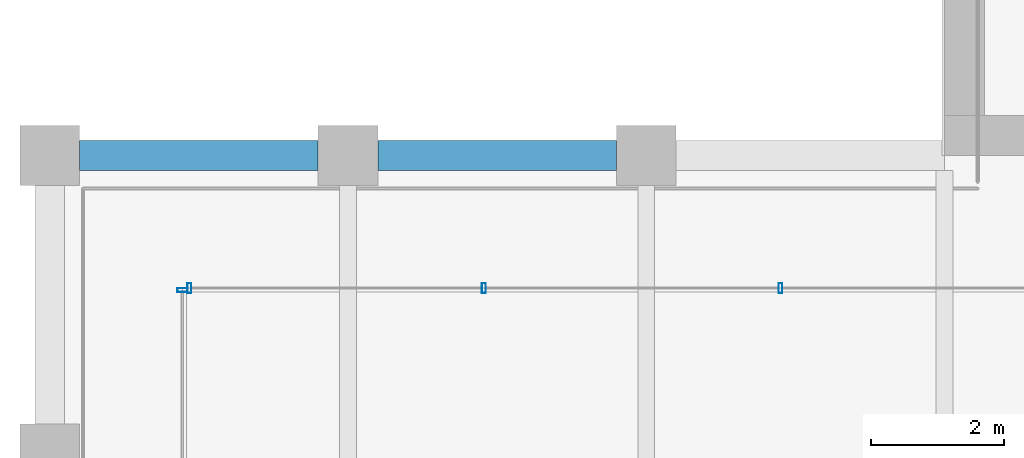
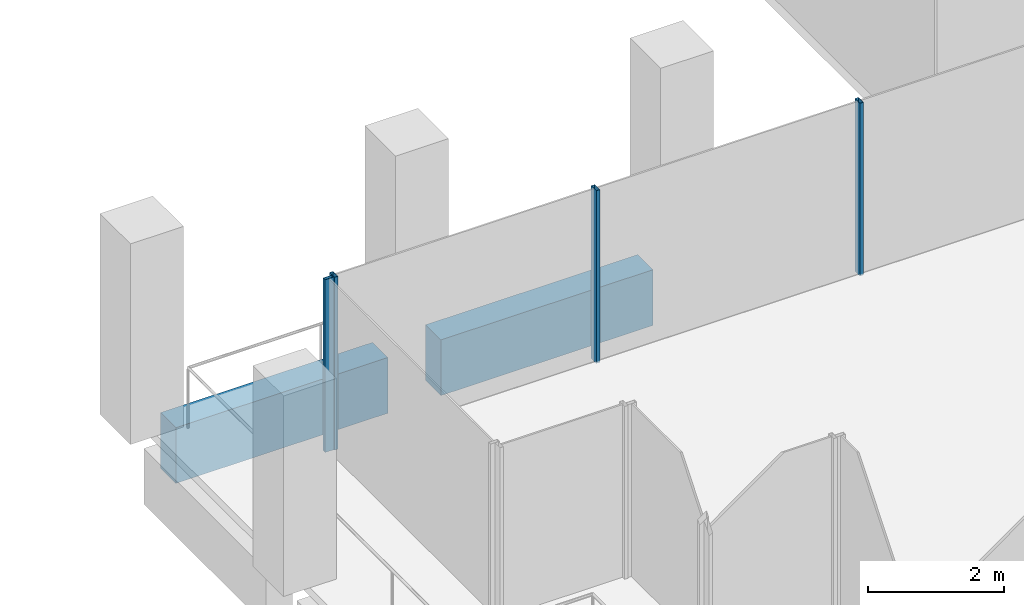
# One storey, part 5 of 40: 4 members, 2 beams, 2 elements without a shape of their own.
"""IFC4 building model written with IfcOpenShell, lengths in metres."""

from ifc_helpers import new_model, si_unit, direction, frame, origin, origin_2d, place, context, subcontext, project, spatial, rectangle, hollow_rectangle, extrude, material, material_profile, profile_set, type_object, element, aggregate, save


model = new_model("IFC4")

# Units and contexts
model_context = context("Model", 3, precision=1e-05, world=origin(), true_north=direction((0.0, 1.0)))
body_context = subcontext(model_context, "Body", "Model", "MODEL_VIEW")
ifc_project = project(units=[si_unit("LENGTHUNIT", "METRE"), si_unit("AREAUNIT", "SQUARE_METRE"), si_unit("VOLUMEUNIT", "CUBIC_METRE"), si_unit("PLANEANGLEUNIT", "RADIAN"), si_unit("MASSUNIT", "GRAM", prefix="KILO")], contexts=[model_context])

# Site, building, storey
site_placement = place(None, origin())
site = spatial("IfcSite", under=ifc_project, at=site_placement, CompositionType="ELEMENT")
building_placement = place(site_placement, origin())
building = spatial("IfcBuilding", under=site, at=building_placement, Name="Altepetl Exchange Towers", CompositionType="ELEMENT")
storey_placement = place(building_placement, frame((0.0, 0.0, 176.199951171875)))
storey = spatial("IfcBuildingStorey", under=building, at=storey_placement, Name="L44", CompositionType="ELEMENT", Elevation=176.199951171875)

# Curtain wall, members
ifc_material_1 = material(Name="Aluminium 6063-T6 glazing", Category="aluminium")
curtain_wall_type = type_object("IfcCurtainWallType", Name="Loggia glazing system", PredefinedType="NOTDEFINED", material=ifc_material_1)
curtain_wall_1_placement = place(storey_placement, origin())
curtain_wall_1 = element("IfcCurtainWall", 1, at=curtain_wall_1_placement, inside=storey, type_object=curtain_wall_type, Name="CW1 run", PredefinedType="NOTDEFINED")
ifc_material_2 = material(Name="Aluminium 6063-T6", Category="aluminium")
ifc_material_profile_1 = material_profile(ifc_material_2, hollow_rectangle(XDim=0.06005859375, YDim=0.14990234375, WallThickness=0.0029296875, at=origin_2d()), Name="Mullion 60x150 aluminium")
ifc_profile_set_1 = profile_set([ifc_material_profile_1], Name="Aluminium 6063-T6")
member_type = type_object("IfcMemberType", Name="Mullion 60x150 aluminium", PredefinedType="MULLION", material=ifc_profile_set_1)
member_1_placement = place(storey_placement, frame((38.02490234375, 38.5, 0.0), z_axis=(0.0, 0.0, 1.0), x_axis=(-1.0, 0.0, 0.0)))
member_1 = element("IfcMember", 2, at=member_1_placement, type_object=member_type, Name="MU1 mullion", PredefinedType="MULLION", context=body_context, shape_type="SweptSolid", body=[
    extrude(hollow_rectangle(XDim=0.06005859375, YDim=0.14990234375, WallThickness=0.0029296875, at=origin_2d()), origin(), (0.0, 0.0, 1.0), 3.10009765625),
])
member_2_placement = place(storey_placement, frame((33.550048828125, 38.5, 0.0), z_axis=(0.0, 0.0, 1.0), x_axis=(-1.0, 0.0, 0.0)))
member_2 = element("IfcMember", 3, at=member_2_placement, type_object=member_type, Name="MU1 mullion", PredefinedType="MULLION", context=body_context, shape_type="SweptSolid", body=[
    extrude(hollow_rectangle(XDim=0.06005859375, YDim=0.14990234375, WallThickness=0.0029296875, at=origin_2d()), origin(), (0.0, 0.0, 1.0), 3.10009765625),
])
member_3_placement = place(storey_placement, frame((29.10498046875, 38.5, 0.0), z_axis=(0.0, 0.0, 1.0), x_axis=(-1.0, 0.0, 0.0)))
member_3 = element("IfcMember", 4, at=member_3_placement, type_object=member_type, Name="MU1 mullion", PredefinedType="MULLION", context=body_context, shape_type="SweptSolid", body=[
    extrude(hollow_rectangle(XDim=0.06005859375, YDim=0.14990234375, WallThickness=0.0029296875, at=origin_2d()), origin(), (0.0, 0.0, 1.0), 3.10009765625),
])
aggregate(curtain_wall_1, [member_1, member_2, member_3])

# Curtain wall, member
curtain_wall_2_placement = place(storey_placement, origin())
curtain_wall_2 = element("IfcCurtainWall", 5, at=curtain_wall_2_placement, inside=storey, type_object=curtain_wall_type, Name="CW1 run", PredefinedType="NOTDEFINED")
member_4_placement = place(storey_placement, frame((29.0, 38.469970703125, 0.0), z_axis=(0.0, 0.0, 1.0), x_axis=(0.0, -1.0, 0.0)))
member_4 = element("IfcMember", 6, at=member_4_placement, type_object=member_type, Name="MU1 mullion", PredefinedType="MULLION", context=body_context, shape_type="SweptSolid", body=[
    extrude(hollow_rectangle(XDim=0.06005859375, YDim=0.14990234375, WallThickness=0.0029296875, at=origin_2d()), origin(), (0.0, 0.0, 1.0), 3.10009765625),
])
aggregate(curtain_wall_2, [member_4])

# Beams
ifc_material_3 = material(Name="Concrete C50/60 precast with tezontle facing", Category="concrete")
ifc_material_profile_2 = material_profile(ifc_material_3, rectangle(XDim=0.449951171875, YDim=1.0, at=origin_2d()), Name="450 x 1000")
ifc_profile_set_2 = profile_set([ifc_material_profile_2], Name="Concrete C50/60 precast with tezontle facing")
beam_type = type_object("IfcBeamType", Name="Spandrel beam 450x1000 tezontle", PredefinedType="SPANDREL", material=ifc_profile_set_2)
for number, where, z_axis, x_axis, name in (
    (7, (35.550048828125, 40.5, -0.64990234375), (-1.0, 0.0, 0.0), (0.0, -1.0, 0.0), "sp:A:L44:034"),
    (8, (31.050048828125, 40.5, -0.64990234375), (-1.0, 0.0, 0.0), (0.0, -1.0, 0.0), "sp:A:L44:035"),
):
    element("IfcBeam", number, at=place(storey_placement, frame(where, z_axis=z_axis, x_axis=x_axis)), inside=storey, type_object=beam_type, Name=name, PredefinedType="SPANDREL", context=body_context, shape_type="SweptSolid", body=[
        extrude(rectangle(XDim=0.449951171875, YDim=1.0, at=origin_2d()), origin(), (0.0, 0.0, 1.0), 3.60009765625),
    ])

save(model, "model.ifc")
